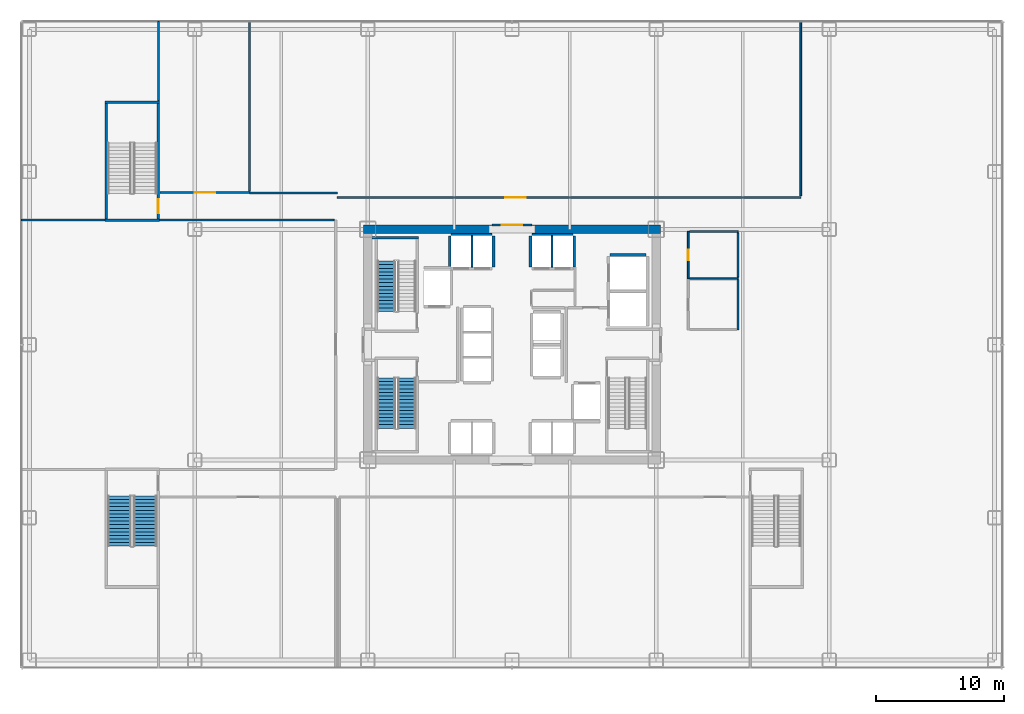
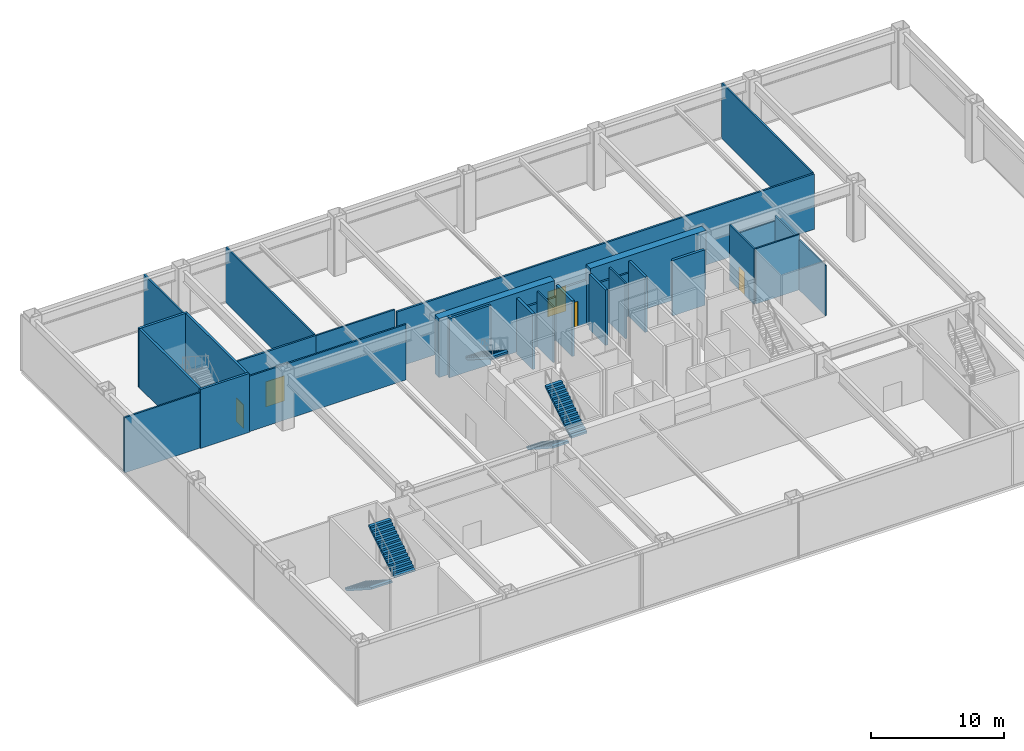
# One storey, part 19 of 24: 30 walls, 5 doors, 5 stair flights, 5 openings, 3 elements without a shape of their own.
"""IFC4 building model written with IfcOpenShell, lengths in metres."""

from ifc_helpers import new_model, si_unit, direction, frame, frame_2d, origin, place, context, subcontext, project, spatial, polyline, rectangle, outline, extrude, source, transform, mapped, material, layer, layer_set, type_object, element, fill, aggregate, save


model = new_model("IFC4")

# Units and contexts
model_context = context("Model", 3, precision=1e-05, world=origin(), true_north=direction((0.0, 1.0)))
body_context = subcontext(model_context, "Body", "Model", "MODEL_VIEW")
ifc_project = project(units=[si_unit("LENGTHUNIT", "METRE"), si_unit("AREAUNIT", "SQUARE_METRE"), si_unit("VOLUMEUNIT", "CUBIC_METRE"), si_unit("PLANEANGLEUNIT", "RADIAN"), si_unit("MASSUNIT", "GRAM", prefix="KILO")], contexts=[model_context])

# Site, building, storey
site_placement = place(None, origin())
site = spatial("IfcSite", under=ifc_project, at=site_placement, CompositionType="ELEMENT")
building_placement = place(site_placement, origin())
building = spatial("IfcBuilding", under=site, at=building_placement, Name="Nefas-Gora Pilgrimage Tower", CompositionType="ELEMENT")
storey_placement = place(building_placement, frame((0.0, 0.0, 6.0)))
storey = spatial("IfcBuildingStorey", under=building, at=storey_placement, Name="L01", CompositionType="ELEMENT", Elevation=6.0)

# Walls
ifc_material_1 = material(Name="Concrete C60/75", Category="concrete")
ifc_layer_1 = layer(ifc_material_1, 0.64990234375)
ifc_layer_set_1 = layer_set([ifc_layer_1], Name="Concrete C60/75")
wall_type_1 = type_object("IfcWallType", Name="SW-CORE-650", PredefinedType="SHEAR", material=ifc_layer_set_1)
shared_shape_1 = source(origin(), body_context, "Body", "SweptSolid", [
    extrude(rectangle(XDim=10.02490234375, YDim=0.64990234375, at=frame_2d((5.012451171875, 0.0))), origin(), (0.0, 0.0, 1.0), 5.39990234375),
])
for number, where, z_axis, x_axis, name in (
    (1, (-11.574951171875, 9.0, 0.0), (0.0, 0.0, 1.0), (1.0, 0.0, 0.0), "L01 Core Shear Wall N-West"),
    (2, (1.550048828125, 9.0, 0.0), (0.0, 0.0, 1.0), (1.0, 0.0, 0.0), "L01 Core Shear Wall N-East"),
):
    element("IfcWall", number, at=place(storey_placement, frame(where, z_axis=z_axis, x_axis=x_axis)), inside=storey, type_object=wall_type_1, Name=name, PredefinedType="SHEAR", context=body_context, shape_type="MappedRepresentation", body=[
        mapped(shared_shape_1, transform((0.0, 0.0, 0.0), x_axis=(1.0, 0.0, 0.0), y_axis=(0.0, 1.0, 0.0), z_axis=(0.0, 0.0, 1.0), scale=1.0)),
    ])
ifc_material_2 = material(Name="Concrete C45/55", Category="concrete")
ifc_layer_2 = layer(ifc_material_2, 0.199951171875)
ifc_layer_set_2 = layer_set([ifc_layer_2], Name="Concrete C45/55")
wall_type_2 = type_object("IfcWallType", Name="IW-STAIR-200", PredefinedType="SOLIDWALL", material=ifc_layer_set_2)
shared_shape_2 = source(origin(), body_context, "Body", "SweptSolid", [
    extrude(rectangle(XDim=3.6298828125, YDim=0.199951171875, at=frame_2d((1.81494140625, 0.0))), origin(), (0.0, 0.0, 1.0), 5.39990234375),
])
wall_1_placement = place(storey_placement, frame((-7.300048828125, 8.35009765625, 0.0), z_axis=(0.0, 0.0, 1.0), x_axis=(-1.0, 0.0, 0.0)))
element("IfcWall", 3, at=wall_1_placement, inside=storey, type_object=wall_type_2, Name="L01 Stairwell Shear Wall ST-01-far", PredefinedType="SOLIDWALL", context=body_context, shape_type="MappedRepresentation", body=[
    mapped(shared_shape_2, transform((0.0, 0.0, 0.0), x_axis=(1.0, 0.0, 0.0), y_axis=(0.0, 1.0, 0.0), z_axis=(0.0, 0.0, 1.0), scale=1.0)),
])
shared_shape_3 = source(origin(), body_context, "Body", "SweptSolid", [
    extrude(rectangle(XDim=4.239990234375, YDim=0.199951171875, at=frame_2d((2.1201171875, 0.0))), origin(), (0.0, 0.0, 1.0), 5.39990234375),
])
for number, where, z_axis, x_axis, name in (
    (4, (-27.5, 9.699951171875, 0.0), (0.0, 0.0, 1.0), (-1.0, 0.0, 0.0), "L01 Stairwell Shear Wall ST-04-near"),
    (5, (-27.5, 18.89990234375, 0.0), (0.0, 0.0, 1.0), (-1.0, 0.0, 0.0), "L01 Stairwell Shear Wall ST-04-far"),
):
    element("IfcWall", number, at=place(storey_placement, frame(where, z_axis=z_axis, x_axis=x_axis)), inside=storey, type_object=wall_type_2, Name=name, PredefinedType="SOLIDWALL", context=body_context, shape_type="MappedRepresentation", body=[
        mapped(shared_shape_3, transform((0.0, 0.0, 0.0), x_axis=(1.0, 0.0, 0.0), y_axis=(0.0, 1.0, 0.0), z_axis=(0.0, 0.0, 1.0), scale=1.0)),
    ])

# Wall, opening, door
shared_shape_4 = source(origin(), body_context, "Body", "SweptSolid", [
    extrude(rectangle(XDim=9.0, YDim=0.199951171875, at=frame_2d((4.5, 0.0))), origin(), (0.0, 0.0, 1.0), 5.39990234375),
])
wall_2_placement = place(storey_placement, frame((-27.60009765625, 9.800048828125, 0.0), z_axis=(0.0, 0.0, 1.0), x_axis=(0.0, 1.0, 0.0)))
wall_2 = element("IfcWall", 6, at=wall_2_placement, inside=storey, type_object=wall_type_2, Name="L01 Stairwell Shear Wall ST-04-left", PredefinedType="SOLIDWALL", context=body_context, shape_type="MappedRepresentation", body=[
    mapped(shared_shape_4, transform((0.0, 0.0, 0.0), x_axis=(1.0, 0.0, 0.0), y_axis=(0.0, 1.0, 0.0), z_axis=(0.0, 0.0, 1.0), scale=1.0)),
])
opening_1_placement = place(wall_2_placement, frame((0.449951171875, 0.0, 0.0)))
opening_1 = element("IfcOpeningElement", 7, at=opening_1_placement, cuts=wall_2, Name="Opening ID-ST1", PredefinedType="OPENING", context=body_context, shape_type="SweptSolid", body=[
    extrude(rectangle(XDim=1.10009765625, YDim=2.14990234375, at=frame_2d((0.550048828125, 1.074951171875))), frame((0.0, 0.10986328125, 0.0), z_axis=(0.0, -1.0, 0.0), x_axis=(1.0, 0.0, 0.0)), (0.0, 0.0, 1.0), 0.219970703125),
])
ifc_material_3 = material(Name="Painted galvanised steel fire stair door", Category="steel")
door_type_1 = type_object("IfcDoorType", Name="DR-INT-STAIR-1100", OperationType="NOTDEFINED", PredefinedType="DOOR", material=ifc_material_3)
shared_shape_5 = source(origin(), body_context, "Body", "SweptSolid", [
    extrude(rectangle(XDim=1.10009765625, YDim=2.14990234375, at=frame_2d((0.550048828125, 1.074951171875))), frame((0.0, 0.02490234375, 0.0), z_axis=(0.0, -1.0, 0.0), x_axis=(1.0, 0.0, 0.0)), (0.0, 0.0, 1.0), 0.050048828125),
])
door_1_placement = place(opening_1_placement, origin())
door_1 = element("IfcDoor", 8, at=door_1_placement, inside=storey, type_object=door_type_1, Name="L01 Protected Exit Stair Door ST-04", OperationType="SINGLE_SWING_LEFT", OverallHeight=2.14990234375, OverallWidth=1.10009765625, PredefinedType="DOOR", context=body_context, shape_type="MappedRepresentation", body=[
    mapped(shared_shape_5, transform((0.0, 0.0, 0.0), x_axis=(1.0, 0.0, 0.0), y_axis=(0.0, 1.0, 0.0), z_axis=(0.0, 0.0, 1.0), scale=1.0)),
])
fill(opening_1, door_1)

# Walls
wall_3_placement = place(storey_placement, frame((-31.639892578125, 9.800048828125, 0.0), z_axis=(0.0, 0.0, 1.0), x_axis=(0.0, 1.0, 0.0)))
element("IfcWall", 9, at=wall_3_placement, inside=storey, type_object=wall_type_2, Name="L01 Stairwell Shear Wall ST-04-right", PredefinedType="SOLIDWALL", context=body_context, shape_type="MappedRepresentation", body=[
    mapped(shared_shape_4, transform((0.0, 0.0, 0.0), x_axis=(1.0, 0.0, 0.0), y_axis=(0.0, 1.0, 0.0), z_axis=(0.0, 0.0, 1.0), scale=1.0)),
])
ifc_material_4 = material(Name="Concrete C40/50", Category="concrete")
ifc_layer_3 = layer(ifc_material_4, 0.219970703125)
ifc_layer_set_3 = layer_set([ifc_layer_3], Name="Concrete C40/50")
wall_type_3 = type_object("IfcWallType", Name="IW-SHAFT-220", PredefinedType="SOLIDWALL", material=ifc_layer_set_3)
shared_shape_6 = source(origin(), body_context, "Body", "SweptSolid", [
    extrude(rectangle(XDim=2.780029296875, YDim=0.219970703125, at=frame_2d((1.39013671875, 0.0))), origin(), (0.0, 0.0, 1.0), 5.0849609375),
])
wall_4_placement = place(storey_placement, frame((10.43994140625, 7.010009765625, 0.0), z_axis=(0.0, 0.0, 1.0), x_axis=(-1.0, 0.0, 0.0)))
element("IfcWall", 10, at=wall_4_placement, inside=storey, type_object=wall_type_3, Name="L01 Hoistway Wall SL-02-N", PredefinedType="SOLIDWALL", context=body_context, shape_type="MappedRepresentation", body=[
    mapped(shared_shape_6, transform((0.0, 0.0, 0.0), x_axis=(1.0, 0.0, 0.0), y_axis=(0.0, 1.0, 0.0), z_axis=(0.0, 0.0, 1.0), scale=1.0)),
])
ifc_material_5 = material(Name="Gypsum acoustic stud partition")
ifc_layer_4 = layer(ifc_material_5, 0.159912109375)
ifc_layer_set_4 = layer_set([ifc_layer_4], Name="Gypsum acoustic stud partition")
wall_type_4 = type_object("IfcWallType", Name="IW-CORR-160", PredefinedType="PARTITIONING", material=ifc_layer_set_4)
shared_shape_7 = source(origin(), body_context, "Body", "SweptSolid", [
    extrude(rectangle(XDim=3.199951171875, YDim=0.159912109375, at=frame_2d((1.60009765625, 0.0))), origin(), (0.0, 0.0, 1.0), 3.97509765625),
])
for number, where, z_axis, x_axis, name in (
    (11, (-1.550048828125, 8.580078125, 0.0), (0.0, 0.0, 1.0), (-1.0, 0.0, 0.0), "L01 Hoistway Wall PL1-W-N"),
    (12, (4.75, 8.580078125, 0.0), (0.0, 0.0, 1.0), (-1.0, 0.0, 0.0), "L01 Hoistway Wall PL1-E-N"),
):
    element("IfcWall", number, at=place(storey_placement, frame(where, z_axis=z_axis, x_axis=x_axis)), inside=storey, type_object=wall_type_4, Name=name, PredefinedType="PARTITIONING", context=body_context, shape_type="MappedRepresentation", body=[
        mapped(shared_shape_7, transform((0.0, 0.0, 0.0), x_axis=(1.0, 0.0, 0.0), y_axis=(0.0, 1.0, 0.0), z_axis=(0.0, 0.0, 1.0), scale=1.0)),
    ])
shared_shape_8 = source(origin(), body_context, "Body", "SweptSolid", [
    extrude(rectangle(XDim=2.429931640625, YDim=0.219970703125, at=frame_2d((1.21484375, 0.0))), origin(), (0.0, 0.0, 1.0), 5.0849609375),
])
for number, where, z_axis, x_axis, name in (
    (13, (-4.860107421875, 8.489990234375, 0.0), (0.0, 0.0, 1.0), (0.0, -1.0, 0.0), "L01 Hoistway Wall PL1-W-W"),
    (14, (-1.43994140625, 6.06005859375, 0.0), (0.0, 0.0, 1.0), (0.0, 1.0, 0.0), "L01 Hoistway Wall PL1-W-E"),
    (15, (1.43994140625, 8.489990234375, 0.0), (0.0, 0.0, 1.0), (0.0, -1.0, 0.0), "L01 Hoistway Wall PL1-E-W"),
    (16, (4.860107421875, 6.06005859375, 0.0), (0.0, 0.0, 1.0), (0.0, 1.0, 0.0), "L01 Hoistway Wall PL1-E-E"),
):
    element("IfcWall", number, at=place(storey_placement, frame(where, z_axis=z_axis, x_axis=x_axis)), inside=storey, type_object=wall_type_3, Name=name, PredefinedType="SOLIDWALL", context=body_context, shape_type="MappedRepresentation", body=[
        mapped(shared_shape_8, transform((0.0, 0.0, 0.0), x_axis=(1.0, 0.0, 0.0), y_axis=(0.0, 1.0, 0.0), z_axis=(0.0, 0.0, 1.0), scale=1.0)),
    ])
ifc_material_6 = material(Name="Gypsum twin-stud partition")
ifc_layer_5 = layer(ifc_material_6, 0.139892578125)
ifc_layer_set_5 = layer_set([ifc_layer_5], Name="Gypsum twin-stud partition")
wall_type_5 = type_object("IfcWallType", Name="IW-UNIT-140", PredefinedType="PARTITIONING", material=ifc_layer_set_5)
shared_shape_9 = source(origin(), body_context, "Body", "SweptSolid", [
    extrude(rectangle(XDim=2.429931640625, YDim=0.139892578125, at=frame_2d((1.21484375, 0.0))), origin(), (0.0, 0.0, 1.0), 5.0849609375),
])
for number, where, z_axis, x_axis, name in (
    (17, (-3.125, 6.06005859375, 0.0), (0.0, 0.0, 1.0), (0.0, 1.0, 0.0), "L01 Hoistway Wall PL1-W-DIV"),
    (18, (3.125, 6.06005859375, 0.0), (0.0, 0.0, 1.0), (0.0, 1.0, 0.0), "L01 Hoistway Wall PL1-E-DIV"),
):
    element("IfcWall", number, at=place(storey_placement, frame(where, z_axis=z_axis, x_axis=x_axis)), inside=storey, type_object=wall_type_5, Name=name, PredefinedType="PARTITIONING", context=body_context, shape_type="MappedRepresentation", body=[
        mapped(shared_shape_9, transform((0.0, 0.0, 0.0), x_axis=(1.0, 0.0, 0.0), y_axis=(0.0, 1.0, 0.0), z_axis=(0.0, 0.0, 1.0), scale=1.0)),
    ])

# Wall, opening, door
shared_shape_10 = source(origin(), body_context, "Body", "SweptSolid", [
    extrude(rectangle(XDim=3.08984375, YDim=0.159912109375, at=frame_2d((1.544921875, 0.0))), origin(), (0.0, 0.0, 1.0), 3.97509765625),
])
wall_5_placement = place(storey_placement, frame((-1.544921875, 9.35009765625, 0.0), z_axis=(0.0, 0.0, 1.0), x_axis=(1.0, 0.0, 0.0)))
wall_5 = element("IfcWall", 19, at=wall_5_placement, inside=storey, type_object=wall_type_4, Name="L01 Central Lift Lobby North Portal Wall 14", PredefinedType="PARTITIONING", context=body_context, shape_type="MappedRepresentation", body=[
    mapped(shared_shape_10, transform((0.0, 0.0, 0.0), x_axis=(1.0, 0.0, 0.0), y_axis=(0.0, 1.0, 0.0), z_axis=(0.0, 0.0, 1.0), scale=1.0)),
])
opening_2_placement = place(wall_5_placement, frame((0.7451171875, 0.0, 0.0)))
opening_2 = element("IfcOpeningElement", 20, at=opening_2_placement, cuts=wall_5, Name="Opening ID-HL1", PredefinedType="OPENING", context=body_context, shape_type="SweptSolid", body=[
    extrude(rectangle(XDim=1.60009765625, YDim=2.300048828125, at=frame_2d((0.800048828125, 1.14990234375))), frame((0.0, 0.08984375, 0.0), z_axis=(0.0, -1.0, 0.0), x_axis=(1.0, 0.0, 0.0)), (0.0, 0.0, 1.0), 0.179931640625),
])
ifc_material_7 = material(Name="Double acoustic timber assembly hall door", Category="wood")
door_type_2 = type_object("IfcDoorType", Name="DR-INT-HALL-1600", OperationType="DOUBLE_DOOR_SINGLE_SWING", PredefinedType="DOOR", material=ifc_material_7)
shared_shape_11 = source(origin(), body_context, "Body", "SweptSolid", [
    extrude(rectangle(XDim=1.60009765625, YDim=2.300048828125, at=frame_2d((0.800048828125, 1.14990234375))), frame((0.0, 0.02490234375, 0.0), z_axis=(0.0, -1.0, 0.0), x_axis=(1.0, 0.0, 0.0)), (0.0, 0.0, 1.0), 0.050048828125),
])
door_2_placement = place(opening_2_placement, origin())
door_2 = element("IfcDoor", 21, at=door_2_placement, inside=storey, type_object=door_type_2, Name="L01 Central Lift Lobby North Portal Door 4", OperationType="DOUBLE_DOOR_SINGLE_SWING", OverallHeight=2.300048828125, OverallWidth=1.60009765625, PredefinedType="DOOR", context=body_context, shape_type="MappedRepresentation", body=[
    mapped(shared_shape_11, transform((0.0, 0.0, 0.0), x_axis=(1.0, 0.0, 0.0), y_axis=(0.0, 1.0, 0.0), z_axis=(0.0, 0.0, 1.0), scale=1.0)),
])
fill(opening_2, door_2)

ifc_material_8 = material(Name="Moisture-resistant fire-rated gypsum partition")
ifc_layer_6 = layer(ifc_material_8, 0.1201171875)
ifc_layer_set_6 = layer_set([ifc_layer_6], Name="Moisture-resistant fire-rated gypsum partition")
wall_type_6 = type_object("IfcWallType", Name="IW-WET-120", PredefinedType="PLUMBINGWALL", material=ifc_layer_set_6)
shared_shape_12 = source(origin(), body_context, "Body", "SweptSolid", [
    extrude(rectangle(XDim=3.68017578125, YDim=0.1201171875, at=frame_2d((1.840087890625, 0.0))), origin(), (0.0, 0.0, 1.0), 5.0849609375),
])
wall_6_placement = place(storey_placement, frame((13.75, 5.159912109375, 0.0), z_axis=(0.0, 0.0, 1.0), x_axis=(0.0, 1.0, 0.0)))
wall_6 = element("IfcWall", 22, at=wall_6_placement, inside=storey, type_object=wall_type_6, Name="L01 L01 Podium Accessible WC Partition Wall 19", PredefinedType="PLUMBINGWALL", context=body_context, shape_type="MappedRepresentation", body=[
    mapped(shared_shape_12, transform((0.0, 0.0, 0.0), x_axis=(1.0, 0.0, 0.0), y_axis=(0.0, 1.0, 0.0), z_axis=(0.0, 0.0, 1.0), scale=1.0)),
])
opening_3_placement = place(wall_6_placement, frame((1.4150390625, 0.0, 0.0)))
opening_3 = element("IfcOpeningElement", 23, at=opening_3_placement, cuts=wall_6, Name="Opening ID-BT1", PredefinedType="OPENING", context=body_context, shape_type="SweptSolid", body=[
    extrude(rectangle(XDim=0.85009765625, YDim=2.10009765625, at=frame_2d((0.425048828125, 1.050048828125))), frame((0.0, 0.070068359375, 0.0), z_axis=(0.0, -1.0, 0.0), x_axis=(1.0, 0.0, 0.0)), (0.0, 0.0, 1.0), 0.14013671875),
])
ifc_material_9 = material(Name="Moisture-resistant fire-rated timber door", Category="wood")
door_type_3 = type_object("IfcDoorType", Name="DR-INT-BATH-850", OperationType="NOTDEFINED", PredefinedType="DOOR", material=ifc_material_9)
shared_shape_13 = source(origin(), body_context, "Body", "SweptSolid", [
    extrude(rectangle(XDim=0.85009765625, YDim=2.10009765625, at=frame_2d((0.425048828125, 1.050048828125))), frame((0.0, 0.02490234375, 0.0), z_axis=(0.0, -1.0, 0.0), x_axis=(1.0, 0.0, 0.0)), (0.0, 0.0, 1.0), 0.050048828125),
])
door_3_placement = place(opening_3_placement, origin())
door_3 = element("IfcDoor", 24, at=door_3_placement, inside=storey, type_object=door_type_3, Name="L01 L01 Podium Accessible WC Door 7", OperationType="SINGLE_SWING_LEFT", OverallHeight=2.10009765625, OverallWidth=0.85009765625, PredefinedType="DOOR", context=body_context, shape_type="MappedRepresentation", body=[
    mapped(shared_shape_13, transform((0.0, 0.0, 0.0), x_axis=(1.0, 0.0, 0.0), y_axis=(0.0, 1.0, 0.0), z_axis=(0.0, 0.0, 1.0), scale=1.0)),
])
fill(opening_3, door_3)

# Walls
shared_shape_14 = source(origin(), body_context, "Body", "SweptSolid", [
    extrude(rectangle(XDim=3.789794921875, YDim=0.1201171875, at=frame_2d((1.89501953125, 0.0))), origin(), (0.0, 0.0, 1.0), 5.0849609375),
])
wall_7_placement = place(storey_placement, frame((13.85009765625, 5.169921875, 0.0), z_axis=(0.0, 0.0, 1.0), x_axis=(1.0, 0.0, 0.0)))
element("IfcWall", 25, at=wall_7_placement, inside=storey, type_object=wall_type_6, Name="L01 L01 Podium Accessible WC Partition Wall 20", PredefinedType="PLUMBINGWALL", context=body_context, shape_type="MappedRepresentation", body=[
    mapped(shared_shape_14, transform((0.0, 0.0, 0.0), x_axis=(1.0, 0.0, 0.0), y_axis=(0.0, 1.0, 0.0), z_axis=(0.0, 0.0, 1.0), scale=1.0)),
])
shared_shape_15 = source(origin(), body_context, "Body", "SweptSolid", [
    extrude(rectangle(XDim=3.789794921875, YDim=0.1201171875, at=frame_2d((1.89501953125, 0.0))), origin(), (0.0, 0.0, 1.0), 4.074951171875),
])
wall_8_placement = place(storey_placement, frame((13.85009765625, 8.830078125, 0.0), z_axis=(0.0, 0.0, 1.0), x_axis=(1.0, 0.0, 0.0)))
element("IfcWall", 26, at=wall_8_placement, inside=storey, type_object=wall_type_6, Name="L01 L01 Podium Accessible WC Partition Wall 21", PredefinedType="PLUMBINGWALL", context=body_context, shape_type="MappedRepresentation", body=[
    mapped(shared_shape_15, transform((0.0, 0.0, 0.0), x_axis=(1.0, 0.0, 0.0), y_axis=(0.0, 1.0, 0.0), z_axis=(0.0, 0.0, 1.0), scale=1.0)),
])
shared_shape_16 = source(origin(), body_context, "Body", "SweptSolid", [
    extrude(rectangle(XDim=3.4599609375, YDim=0.1201171875, at=frame_2d((1.72998046875, 0.0))), origin(), (0.0, 0.0, 1.0), 4.625),
])
wall_9_placement = place(storey_placement, frame((17.6298828125, 5.27001953125, 0.0), z_axis=(0.0, 0.0, 1.0), x_axis=(0.0, 1.0, 0.0)))
element("IfcWall", 27, at=wall_9_placement, inside=storey, type_object=wall_type_6, Name="L01 L01 Podium Accessible WC Partition Wall 22", PredefinedType="PLUMBINGWALL", context=body_context, shape_type="MappedRepresentation", body=[
    mapped(shared_shape_16, transform((0.0, 0.0, 0.0), x_axis=(1.0, 0.0, 0.0), y_axis=(0.0, 1.0, 0.0), z_axis=(0.0, 0.0, 1.0), scale=1.0)),
])
shared_shape_17 = source(origin(), body_context, "Body", "SweptSolid", [
    extrude(rectangle(XDim=3.91015625, YDim=0.1201171875, at=frame_2d((1.955078125, 0.0))), origin(), (0.0, 0.0, 1.0), 4.625),
])
wall_10_placement = place(storey_placement, frame((17.6298828125, 1.159912109375, 0.0), z_axis=(0.0, 0.0, 1.0), x_axis=(0.0, 1.0, 0.0)))
element("IfcWall", 28, at=wall_10_placement, inside=storey, type_object=wall_type_6, Name="L01 L01 Podium Public Washroom WC Partition Wall 24", PredefinedType="PLUMBINGWALL", context=body_context, shape_type="MappedRepresentation", body=[
    mapped(shared_shape_17, transform((0.0, 0.0, 0.0), x_axis=(1.0, 0.0, 0.0), y_axis=(0.0, 1.0, 0.0), z_axis=(0.0, 0.0, 1.0), scale=1.0)),
])
shared_shape_18 = source(origin(), body_context, "Body", "SweptSolid", [
    extrude(rectangle(XDim=6.52490234375, YDim=0.139892578125, at=frame_2d((3.262451171875, 0.0))), origin(), (0.0, 0.0, 1.0), 5.0849609375),
])
wall_11_placement = place(storey_placement, frame((-38.27001953125, 9.72998046875, 0.0), z_axis=(0.0, 0.0, 1.0), x_axis=(1.0, 0.0, 0.0)))
element("IfcWall", 29, at=wall_11_placement, inside=storey, type_object=wall_type_5, Name="L01 Congregational Prayer Hall West Partition Wall 30", PredefinedType="PARTITIONING", context=body_context, shape_type="MappedRepresentation", body=[
    mapped(shared_shape_18, transform((0.0, 0.0, 0.0), x_axis=(1.0, 0.0, 0.0), y_axis=(0.0, 1.0, 0.0), z_axis=(0.0, 0.0, 1.0), scale=1.0)),
])
shared_shape_19 = source(origin(), body_context, "Body", "SweptSolid", [
    extrude(rectangle(XDim=13.625, YDim=0.139892578125, at=frame_2d((6.8125, 0.0))), origin(), (0.0, 0.0, 1.0), 5.0849609375),
])
wall_12_placement = place(storey_placement, frame((-27.4951171875, 9.72998046875, 0.0), z_axis=(0.0, 0.0, 1.0), x_axis=(1.0, 0.0, 0.0)))
element("IfcWall", 30, at=wall_12_placement, inside=storey, type_object=wall_type_5, Name="L01 Congregational Prayer Hall West Partition Wall 29", PredefinedType="PARTITIONING", context=body_context, shape_type="MappedRepresentation", body=[
    mapped(shared_shape_19, transform((0.0, 0.0, 0.0), x_axis=(1.0, 0.0, 0.0), y_axis=(0.0, 1.0, 0.0), z_axis=(0.0, 0.0, 1.0), scale=1.0)),
])

# Wall, opening, door
shared_shape_20 = source(origin(), body_context, "Body", "SweptSolid", [
    extrude(rectangle(XDim=7.0, YDim=0.159912109375, at=frame_2d((3.5, 0.0))), origin(), (0.0, 0.0, 1.0), 5.0849609375),
])
wall_13_placement = place(storey_placement, frame((-27.4599609375, 11.8701171875, 0.0), z_axis=(0.0, 0.0, 1.0), x_axis=(1.0, 0.0, 0.0)))
wall_13 = element("IfcWall", 31, at=wall_13_placement, inside=storey, type_object=wall_type_4, Name="L01 Scripture Study Hall Partition Wall 31", PredefinedType="PARTITIONING", context=body_context, shape_type="MappedRepresentation", body=[
    mapped(shared_shape_20, transform((0.0, 0.0, 0.0), x_axis=(1.0, 0.0, 0.0), y_axis=(0.0, 1.0, 0.0), z_axis=(0.0, 0.0, 1.0), scale=1.0)),
])
opening_4_placement = place(wall_13_placement, frame((2.699951171875, 0.0, 0.0)))
opening_4 = element("IfcOpeningElement", 32, at=opening_4_placement, cuts=wall_13, Name="Opening ID-HL1", PredefinedType="OPENING", context=body_context, shape_type="SweptSolid", body=[
    extrude(rectangle(XDim=1.60009765625, YDim=2.300048828125, at=frame_2d((0.800048828125, 1.14990234375))), frame((0.0, 0.08984375, 0.0), z_axis=(0.0, -1.0, 0.0), x_axis=(1.0, 0.0, 0.0)), (0.0, 0.0, 1.0), 0.179931640625),
])
door_4_placement = place(opening_4_placement, origin())
door_4 = element("IfcDoor", 33, at=door_4_placement, inside=storey, type_object=door_type_2, Name="L01 Scripture Study Hall Door 10", OperationType="DOUBLE_DOOR_SINGLE_SWING", OverallHeight=2.300048828125, OverallWidth=1.60009765625, PredefinedType="DOOR", context=body_context, shape_type="MappedRepresentation", body=[
    mapped(shared_shape_11, transform((0.0, 0.0, 0.0), x_axis=(1.0, 0.0, 0.0), y_axis=(0.0, 1.0, 0.0), z_axis=(0.0, 0.0, 1.0), scale=1.0)),
])
fill(opening_4, door_4)

# Walls
shared_shape_21 = source(origin(), body_context, "Body", "SweptSolid", [
    extrude(rectangle(XDim=6.179931640625, YDim=0.139892578125, at=frame_2d((3.08984375, 0.0))), origin(), (0.0, 0.0, 1.0), 5.0849609375),
])
wall_14_placement = place(storey_placement, frame((-27.580078125, 19.0400390625, 0.0), z_axis=(0.0, 0.0, 1.0), x_axis=(0.0, 1.0, 0.0)))
element("IfcWall", 34, at=wall_14_placement, inside=storey, type_object=wall_type_5, Name="L01 Scripture Study Hall Partition Wall 32", PredefinedType="PARTITIONING", context=body_context, shape_type="MappedRepresentation", body=[
    mapped(shared_shape_21, transform((0.0, 0.0, 0.0), x_axis=(1.0, 0.0, 0.0), y_axis=(0.0, 1.0, 0.0), z_axis=(0.0, 0.0, 1.0), scale=1.0)),
])
shared_shape_22 = source(origin(), body_context, "Body", "SweptSolid", [
    extrude(rectangle(XDim=13.22998046875, YDim=0.139892578125, at=frame_2d((6.614990234375, 0.0))), origin(), (0.0, 0.0, 1.0), 5.0849609375),
])
wall_15_placement = place(storey_placement, frame((-20.469970703125, 11.989990234375, 0.0), z_axis=(0.0, 0.0, 1.0), x_axis=(0.0, 1.0, 0.0)))
element("IfcWall", 35, at=wall_15_placement, inside=storey, type_object=wall_type_5, Name="L01 Scripture Study Hall Partition Wall 33", PredefinedType="PARTITIONING", context=body_context, shape_type="MappedRepresentation", body=[
    mapped(shared_shape_22, transform((0.0, 0.0, 0.0), x_axis=(1.0, 0.0, 0.0), y_axis=(0.0, 1.0, 0.0), z_axis=(0.0, 0.0, 1.0), scale=1.0)),
])

# Wall, opening, door
shared_shape_23 = source(origin(), body_context, "Body", "SweptSolid", [
    extrude(rectangle(XDim=36.179931640625, YDim=0.159912109375, at=frame_2d((18.08984375, 0.0))), origin(), (0.0, 0.0, 1.0), 5.0849609375),
])
wall_16_placement = place(storey_placement, frame((-13.639892578125, 11.489990234375, 0.0), z_axis=(0.0, 0.0, 1.0), x_axis=(1.0, 0.0, 0.0)))
wall_16 = element("IfcWall", 36, at=wall_16_placement, inside=storey, type_object=wall_type_4, Name="L01 Scripture Seminar Hall Partition Wall 34", PredefinedType="PARTITIONING", context=body_context, shape_type="MappedRepresentation", body=[
    mapped(shared_shape_23, transform((0.0, 0.0, 0.0), x_axis=(1.0, 0.0, 0.0), y_axis=(0.0, 1.0, 0.0), z_axis=(0.0, 0.0, 1.0), scale=1.0)),
])
opening_5_placement = place(wall_16_placement, frame((13.098876953125, 0.0, 0.0)))
opening_5 = element("IfcOpeningElement", 37, at=opening_5_placement, cuts=wall_16, Name="Opening ID-HL1", PredefinedType="OPENING", context=body_context, shape_type="SweptSolid", body=[
    extrude(rectangle(XDim=1.60009765625, YDim=2.300048828125, at=frame_2d((0.800048828125, 1.14990234375))), frame((0.0, 0.08984375, 0.0), z_axis=(0.0, -1.0, 0.0), x_axis=(1.0, 0.0, 0.0)), (0.0, 0.0, 1.0), 0.179931640625),
])
door_5_placement = place(opening_5_placement, origin())
door_5 = element("IfcDoor", 38, at=door_5_placement, inside=storey, type_object=door_type_2, Name="L01 Scripture Seminar Hall Door 11", OperationType="DOUBLE_DOOR_SINGLE_SWING", OverallHeight=2.300048828125, OverallWidth=1.60009765625, PredefinedType="DOOR", context=body_context, shape_type="MappedRepresentation", body=[
    mapped(shared_shape_11, transform((0.0, 0.0, 0.0), x_axis=(1.0, 0.0, 0.0), y_axis=(0.0, 1.0, 0.0), z_axis=(0.0, 0.0, 1.0), scale=1.0)),
])
fill(opening_5, door_5)

# Walls
shared_shape_24 = source(origin(), body_context, "Body", "SweptSolid", [
    extrude(rectangle(XDim=6.83984375, YDim=0.139892578125, at=frame_2d((3.419921875, 0.0))), origin(), (0.0, 0.0, 1.0), 5.0849609375),
])
wall_17_placement = place(storey_placement, frame((-20.4599609375, 11.830078125, 0.0), z_axis=(0.0, 0.0, 1.0), x_axis=(1.0, 0.0, 0.0)))
element("IfcWall", 39, at=wall_17_placement, inside=storey, type_object=wall_type_5, Name="L01 Scripture Seminar Hall Partition Wall 35", PredefinedType="PARTITIONING", context=body_context, shape_type="MappedRepresentation", body=[
    mapped(shared_shape_24, transform((0.0, 0.0, 0.0), x_axis=(1.0, 0.0, 0.0), y_axis=(0.0, 1.0, 0.0), z_axis=(0.0, 0.0, 1.0), scale=1.0)),
])
shared_shape_25 = source(origin(), body_context, "Body", "SweptSolid", [
    extrude(rectangle(XDim=13.60986328125, YDim=0.139892578125, at=frame_2d((6.804931640625, 0.0))), origin(), (0.0, 0.0, 1.0), 5.0849609375),
])
wall_18_placement = place(storey_placement, frame((22.530029296875, 11.610107421875, 0.0), z_axis=(0.0, 0.0, 1.0), x_axis=(0.0, 1.0, 0.0)))
element("IfcWall", 40, at=wall_18_placement, inside=storey, type_object=wall_type_5, Name="L01 Scripture Seminar Hall Partition Wall 36", PredefinedType="PARTITIONING", context=body_context, shape_type="MappedRepresentation", body=[
    mapped(shared_shape_25, transform((0.0, 0.0, 0.0), x_axis=(1.0, 0.0, 0.0), y_axis=(0.0, 1.0, 0.0), z_axis=(0.0, 0.0, 1.0), scale=1.0)),
])

# Stair, stair flight
stair_type_1 = type_object("IfcStairType", Name="STR-1400-R1800", PredefinedType="HALF_TURN_STAIR", material=ifc_material_2)
stair_1_placement = place(storey_placement, origin())
stair_1 = element("IfcStair", 41, at=stair_1_placement, inside=storey, type_object=stair_type_1, Name="L01 Pressurised Tower Exit Stair ST-01", PredefinedType="HALF_TURN_STAIR")
stair_flight_type_1 = type_object("IfcStairFlightType", Name="STF-1400-R1800", PredefinedType="STRAIGHT", material=ifc_material_2)
shared_shape_26 = source(origin(), body_context, "Body", "SweptSolid", [
    extrude(outline(polyline([(0.0, 0.0), (0.0, 0.179931640625), (0.280029296875, 0.179931640625), (0.280029296875, 0.360107421875), (0.56005859375, 0.360107421875), (0.56005859375, 0.5400390625), (0.840087890625, 0.5400390625), (0.840087890625, 0.719970703125), (1.1201171875, 0.719970703125), (1.1201171875, 0.89990234375), (1.39990234375, 0.89990234375), (1.39990234375, 1.080078125), (1.679931640625, 1.080078125), (1.679931640625, 1.260009765625), (1.9599609375, 1.260009765625), (1.9599609375, 1.43994140625), (2.239990234375, 1.43994140625), (2.239990234375, 1.6201171875), (2.52001953125, 1.6201171875), (2.52001953125, 1.800048828125), (2.800048828125, 1.800048828125), (2.800048828125, 1.97998046875), (3.080078125, 1.97998046875), (3.080078125, 2.159912109375), (3.360107421875, 2.159912109375), (3.360107421875, 2.340087890625), (3.639892578125, 2.340087890625), (3.639892578125, 2.52001953125), (3.919921875, 2.52001953125), (3.919921875, 2.699951171875), (3.919921875, 2.341796875), (0.277099609375, 0.0), (0.0, 0.0)])), frame((0.0, 0.699951171875, 0.0), z_axis=(0.0, -1.0, 0.0), x_axis=(1.0, 0.0, 0.0)), (0.0, 0.0, 1.0), 1.39990234375),
])
stair_flight_1_placement = place(storey_placement, frame((-9.800048828125, 6.52001953125, 2.699951171875), z_axis=(0.0, 0.0, 1.0), x_axis=(0.0, -1.0, 0.0)))
stair_flight_1 = element("IfcStairFlight", 42, at=stair_flight_1_placement, type_object=stair_flight_type_1, Name="ST-01 flight 2", NumberOfRisers=15, NumberOfTreads=14, PredefinedType="STRAIGHT", RiserHeight=0.18, TreadLength=0.28, context=body_context, shape_type="MappedRepresentation", body=[
    mapped(shared_shape_26, transform((0.0, 0.0, 0.0), x_axis=(1.0, 0.0, 0.0), y_axis=(0.0, 1.0, 0.0), z_axis=(0.0, 0.0, 1.0), scale=1.0)),
])
aggregate(stair_1, [stair_flight_1])

# Stair, stair flights
stair_2_placement = place(storey_placement, origin())
stair_2 = element("IfcStair", 43, at=stair_2_placement, inside=storey, type_object=stair_type_1, Name="L01 Pressurised Tower Exit Stair ST-03", PredefinedType="HALF_TURN_STAIR")
stair_flight_2_placement = place(storey_placement, frame((-9.800048828125, -2.60009765625, 0.0), z_axis=(0.0, 0.0, 1.0), x_axis=(0.0, -1.0, 0.0)))
stair_flight_2 = element("IfcStairFlight", 44, at=stair_flight_2_placement, type_object=stair_flight_type_1, Name="ST-03 flight 1", NumberOfRisers=15, NumberOfTreads=14, PredefinedType="STRAIGHT", RiserHeight=0.18, TreadLength=0.28, context=body_context, shape_type="MappedRepresentation", body=[
    mapped(shared_shape_26, transform((0.0, 0.0, 0.0), x_axis=(1.0, 0.0, 0.0), y_axis=(0.0, 1.0, 0.0), z_axis=(0.0, 0.0, 1.0), scale=1.0)),
])
stair_flight_3_placement = place(storey_placement, frame((-8.199951171875, -6.52001953125, 2.699951171875), z_axis=(0.0, 0.0, 1.0), x_axis=(0.0, 1.0, 0.0)))
stair_flight_3 = element("IfcStairFlight", 45, at=stair_flight_3_placement, type_object=stair_flight_type_1, Name="ST-03 flight 2", NumberOfRisers=15, NumberOfTreads=14, PredefinedType="STRAIGHT", RiserHeight=0.18, TreadLength=0.28, context=body_context, shape_type="MappedRepresentation", body=[
    mapped(shared_shape_26, transform((0.0, 0.0, 0.0), x_axis=(1.0, 0.0, 0.0), y_axis=(0.0, 1.0, 0.0), z_axis=(0.0, 0.0, 1.0), scale=1.0)),
])
aggregate(stair_2, [stair_flight_2, stair_flight_3])

stair_type_2 = type_object("IfcStairType", Name="STR-1820-R1800", PredefinedType="HALF_TURN_STAIR", material=ifc_material_2)
stair_3_placement = place(storey_placement, origin())
stair_3 = element("IfcStair", 46, at=stair_3_placement, inside=storey, type_object=stair_type_2, Name="L01 Podium Exit Stair ST-05", PredefinedType="HALF_TURN_STAIR")
stair_flight_type_2 = type_object("IfcStairFlightType", Name="STF-1820-R1800", PredefinedType="STRAIGHT", material=ifc_material_2)
shared_shape_27 = source(origin(), body_context, "Body", "SweptSolid", [
    extrude(outline(polyline([(0.0, 0.0), (0.0, 0.179931640625), (0.280029296875, 0.179931640625), (0.280029296875, 0.360107421875), (0.56005859375, 0.360107421875), (0.56005859375, 0.5400390625), (0.840087890625, 0.5400390625), (0.840087890625, 0.719970703125), (1.1201171875, 0.719970703125), (1.1201171875, 0.89990234375), (1.39990234375, 0.89990234375), (1.39990234375, 1.080078125), (1.679931640625, 1.080078125), (1.679931640625, 1.260009765625), (1.9599609375, 1.260009765625), (1.9599609375, 1.43994140625), (2.239990234375, 1.43994140625), (2.239990234375, 1.6201171875), (2.52001953125, 1.6201171875), (2.52001953125, 1.800048828125), (2.800048828125, 1.800048828125), (2.800048828125, 1.97998046875), (3.080078125, 1.97998046875), (3.080078125, 2.159912109375), (3.360107421875, 2.159912109375), (3.360107421875, 2.340087890625), (3.639892578125, 2.340087890625), (3.639892578125, 2.52001953125), (3.919921875, 2.52001953125), (3.919921875, 2.699951171875), (3.919921875, 2.341796875), (0.277099609375, 0.0), (0.0, 0.0)])), frame((0.0, 0.91015625, 0.0), z_axis=(0.0, -1.0, 0.0), x_axis=(1.0, 0.0, 0.0)), (0.0, 0.0, 1.0), 1.820068359375),
])
stair_flight_4_placement = place(storey_placement, frame((-30.6298828125, -11.800048828125, 0.0), z_axis=(0.0, 0.0, 1.0), x_axis=(0.0, -1.0, 0.0)))
stair_flight_4 = element("IfcStairFlight", 47, at=stair_flight_4_placement, type_object=stair_flight_type_2, Name="ST-05 flight 1", NumberOfRisers=15, NumberOfTreads=14, PredefinedType="STRAIGHT", RiserHeight=0.18, TreadLength=0.28, context=body_context, shape_type="MappedRepresentation", body=[
    mapped(shared_shape_27, transform((0.0, 0.0, 0.0), x_axis=(1.0, 0.0, 0.0), y_axis=(0.0, 1.0, 0.0), z_axis=(0.0, 0.0, 1.0), scale=1.0)),
])
stair_flight_5_placement = place(storey_placement, frame((-28.610107421875, -15.719970703125, 2.699951171875), z_axis=(0.0, 0.0, 1.0), x_axis=(0.0, 1.0, 0.0)))
stair_flight_5 = element("IfcStairFlight", 48, at=stair_flight_5_placement, type_object=stair_flight_type_2, Name="ST-05 flight 2", NumberOfRisers=15, NumberOfTreads=14, PredefinedType="STRAIGHT", RiserHeight=0.18, TreadLength=0.28, context=body_context, shape_type="MappedRepresentation", body=[
    mapped(shared_shape_27, transform((0.0, 0.0, 0.0), x_axis=(1.0, 0.0, 0.0), y_axis=(0.0, 1.0, 0.0), z_axis=(0.0, 0.0, 1.0), scale=1.0)),
])
aggregate(stair_3, [stair_flight_4, stair_flight_5])

save(model, "model.ifc")
